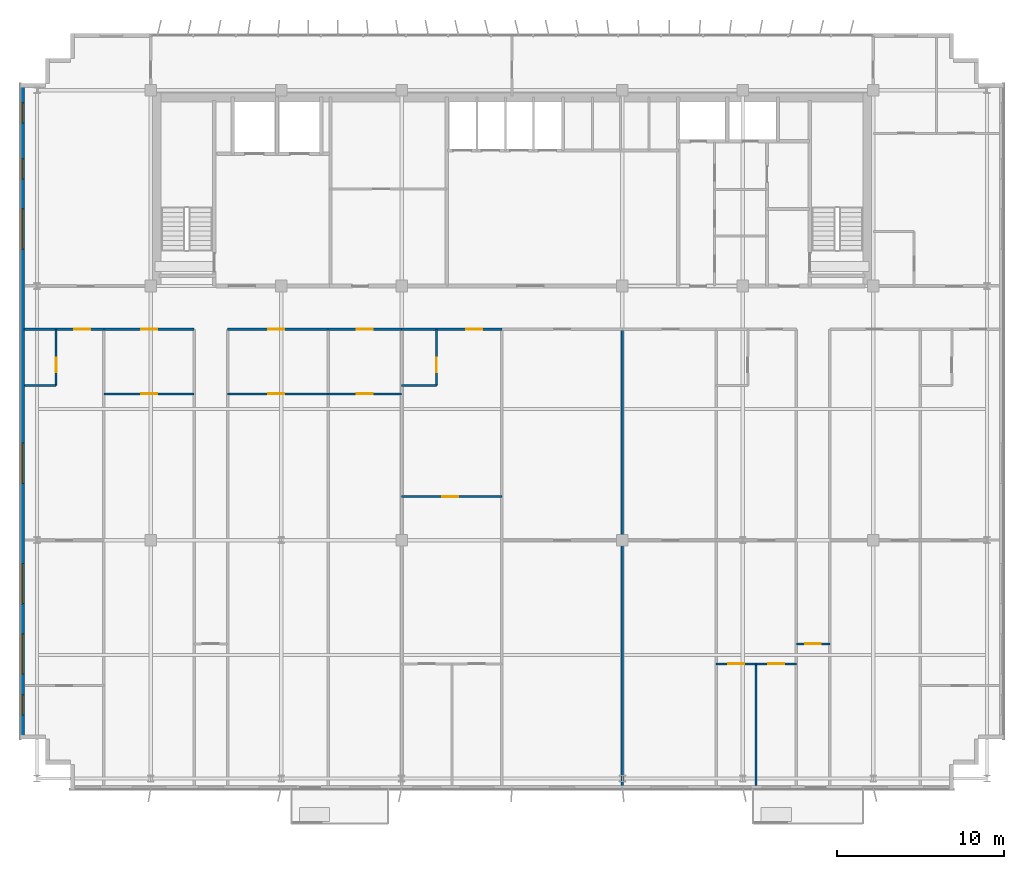
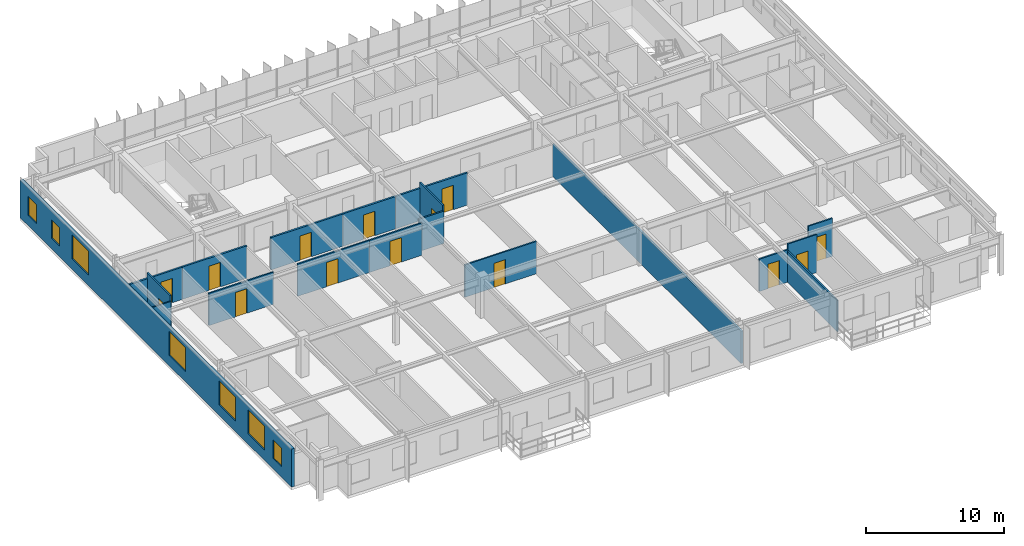
# One storey, part 15 of 21: 19 walls, 14 doors, 7 windows, 21 openings.
"""IFC4 building model written with IfcOpenShell, lengths in metres."""

from ifc_helpers import new_model, si_unit, direction, frame, frame_2d, origin, place, context, subcontext, project, spatial, rectangle, extrude, source, transform, mapped, material, layer, layer_set, type_object, element, fill, save


model = new_model("IFC4")

# Units and contexts
model_context = context("Model", 3, precision=1e-05, world=origin(), true_north=direction((0.0, 1.0)))
body_context = subcontext(model_context, "Body", "Model", "MODEL_VIEW")
ifc_project = project(units=[si_unit("LENGTHUNIT", "METRE"), si_unit("AREAUNIT", "SQUARE_METRE"), si_unit("VOLUMEUNIT", "CUBIC_METRE"), si_unit("PLANEANGLEUNIT", "RADIAN"), si_unit("MASSUNIT", "GRAM", prefix="KILO")], contexts=[model_context])

# Site, building, storey
site_placement = place(None, origin())
site = spatial("IfcSite", under=ifc_project, at=site_placement, CompositionType="ELEMENT")
building_placement = place(site_placement, origin())
building = spatial("IfcBuilding", under=site, at=building_placement, Name="Trelvane Seafront Commons", CompositionType="ELEMENT")
storey_placement = place(building_placement, frame((0.0, 0.0, 157.300048828125)))
storey = spatial("IfcBuildingStorey", under=building, at=storey_placement, Name="L41", CompositionType="ELEMENT", Elevation=157.300048828125)

# Wall, openings, windows
ifc_material_1 = material(Name="Precast concrete C40/50", Category="concrete")
ifc_layer_1 = layer(ifc_material_1, 0.239990234375, Name="ARCH-WALL-EXT240")
ifc_layer_set_1 = layer_set([ifc_layer_1], Name="Precast concrete C40/50")
wall_type_1 = type_object("IfcWallType", Name="ARCH-WALL-EXT240", PredefinedType="SOLIDWALL", material=ifc_layer_set_1)
wall_1_placement = place(storey_placement, frame((7.919921875, 6.300048828125, 0.0), z_axis=(0.0, 0.0, 1.0), x_axis=(0.0, 1.0, 0.0)))
wall_1 = element("IfcWall", 1, at=wall_1_placement, inside=storey, type_object=wall_type_1, Name="EW-L41-00805", PredefinedType="SOLIDWALL", context=body_context, shape_type="SweptSolid", body=[
    extrude(rectangle(XDim=39.199951171875, YDim=0.239990234375, at=frame_2d((19.60009765625, 0.0))), origin(), (0.0, 0.0, 1.0), 3.349853515625),
])
opening_1_placement = place(wall_1_placement, frame((1.449951171875, 0.0, 0.919921875)))
opening_1 = element("IfcOpeningElement", 2, at=opening_1_placement, cuts=wall_1, Name="Opening W05", PredefinedType="OPENING", context=body_context, shape_type="SweptSolid", body=[
    extrude(rectangle(XDim=1.199951171875, YDim=1.64990234375, at=frame_2d((0.60009765625, 0.824951171875))), frame((0.0, 0.1298828125, 0.0), z_axis=(0.0, -1.0, 0.0), x_axis=(1.0, 0.0, 0.0)), (0.0, 0.0, 1.0), 0.260009765625),
])
opening_2_placement = place(wall_1_placement, frame((3.89990234375, 0.0, 0.919921875)))
opening_2 = element("IfcOpeningElement", 3, at=opening_2_placement, cuts=wall_1, Name="Opening W08", PredefinedType="OPENING", context=body_context, shape_type="SweptSolid", body=[
    extrude(rectangle(XDim=2.39990234375, YDim=2.10009765625, at=frame_2d((1.199951171875, 1.050048828125))), frame((0.0, 0.1298828125, 0.0), z_axis=(0.0, -1.0, 0.0), x_axis=(1.0, 0.0, 0.0)), (0.0, 0.0, 1.0), 0.260009765625),
])
opening_3_placement = place(wall_1_placement, frame((8.10009765625, 0.0, 0.919921875)))
opening_3 = element("IfcOpeningElement", 4, at=opening_3_placement, cuts=wall_1, Name="Opening W08", PredefinedType="OPENING", context=body_context, shape_type="SweptSolid", body=[
    extrude(rectangle(XDim=2.39990234375, YDim=2.10009765625, at=frame_2d((1.199951171875, 1.050048828125))), frame((0.0, 0.1298828125, 0.0), z_axis=(0.0, -1.0, 0.0), x_axis=(1.0, 0.0, 0.0)), (0.0, 0.0, 1.0), 0.260009765625),
])
opening_4_placement = place(wall_1_placement, frame((15.300048828125, 0.0, 0.919921875)))
opening_4 = element("IfcOpeningElement", 5, at=opening_4_placement, cuts=wall_1, Name="Opening W08", PredefinedType="OPENING", context=body_context, shape_type="SweptSolid", body=[
    extrude(rectangle(XDim=2.39990234375, YDim=2.10009765625, at=frame_2d((1.199951171875, 1.050048828125))), frame((0.0, 0.1298828125, 0.0), z_axis=(0.0, -1.0, 0.0), x_axis=(1.0, 0.0, 0.0)), (0.0, 0.0, 1.0), 0.260009765625),
])
opening_5_placement = place(wall_1_placement, frame((29.300048828125, 0.0, 0.919921875)))
opening_5 = element("IfcOpeningElement", 6, at=opening_5_placement, cuts=wall_1, Name="Opening W08", PredefinedType="OPENING", context=body_context, shape_type="SweptSolid", body=[
    extrude(rectangle(XDim=2.39990234375, YDim=2.10009765625, at=frame_2d((1.199951171875, 1.050048828125))), frame((0.0, 0.1298828125, 0.0), z_axis=(0.0, -1.0, 0.0), x_axis=(1.0, 0.0, 0.0)), (0.0, 0.0, 1.0), 0.260009765625),
])
opening_6_placement = place(wall_1_placement, frame((33.5, 0.0, 0.919921875)))
opening_6 = element("IfcOpeningElement", 7, at=opening_6_placement, cuts=wall_1, Name="Opening W05", PredefinedType="OPENING", context=body_context, shape_type="SweptSolid", body=[
    extrude(rectangle(XDim=1.199951171875, YDim=1.64990234375, at=frame_2d((0.60009765625, 0.824951171875))), frame((0.0, 0.1298828125, 0.0), z_axis=(0.0, -1.0, 0.0), x_axis=(1.0, 0.0, 0.0)), (0.0, 0.0, 1.0), 0.260009765625),
])
opening_7_placement = place(wall_1_placement, frame((36.85009765625, 0.0, 0.919921875)))
opening_7 = element("IfcOpeningElement", 8, at=opening_7_placement, cuts=wall_1, Name="Opening W05", PredefinedType="OPENING", context=body_context, shape_type="SweptSolid", body=[
    extrude(rectangle(XDim=1.199951171875, YDim=1.64990234375, at=frame_2d((0.60009765625, 0.824951171875))), frame((0.0, 0.1298828125, 0.0), z_axis=(0.0, -1.0, 0.0), x_axis=(1.0, 0.0, 0.0)), (0.0, 0.0, 1.0), 0.260009765625),
])
ifc_material_2 = material(Name="Low-E coastal double glazing", Category="glass")
window_type_1 = type_object("IfcWindowType", Name="ARCH-WIN-W08", PartitioningType="SINGLE_PANEL", PredefinedType="WINDOW", material=ifc_material_2)
shared_shape_1 = source(origin(), body_context, "Body", "SweptSolid", [
    extrude(rectangle(XDim=2.39990234375, YDim=2.10009765625, at=frame_2d((1.199951171875, 1.050048828125))), frame((0.0, 0.030029296875, 0.0), z_axis=(0.0, -1.0, 0.0), x_axis=(1.0, 0.0, 0.0)), (0.0, 0.0, 1.0), 0.06005859375),
])
window_1_placement = place(opening_2_placement, origin())
window_1 = element("IfcWindow", 9, at=window_1_placement, inside=storey, type_object=window_type_1, Name="WIN-L41-EW-00957", OverallHeight=2.10009765625, OverallWidth=2.39990234375, PartitioningType="SINGLE_PANEL", PredefinedType="WINDOW", context=body_context, shape_type="MappedRepresentation", body=[
    mapped(shared_shape_1, transform((0.0, 0.0, 0.0), x_axis=(1.0, 0.0, 0.0), y_axis=(0.0, 1.0, 0.0), z_axis=(0.0, 0.0, 1.0), scale=1.0)),
])
fill(opening_2, window_1)
window_2_placement = place(opening_3_placement, origin())
window_2 = element("IfcWindow", 10, at=window_2_placement, inside=storey, type_object=window_type_1, Name="WIN-L41-EW-00958", OverallHeight=2.10009765625, OverallWidth=2.39990234375, PartitioningType="SINGLE_PANEL", PredefinedType="WINDOW", context=body_context, shape_type="MappedRepresentation", body=[
    mapped(shared_shape_1, transform((0.0, 0.0, 0.0), x_axis=(1.0, 0.0, 0.0), y_axis=(0.0, 1.0, 0.0), z_axis=(0.0, 0.0, 1.0), scale=1.0)),
])
fill(opening_3, window_2)
window_3_placement = place(opening_4_placement, origin())
window_3 = element("IfcWindow", 11, at=window_3_placement, inside=storey, type_object=window_type_1, Name="WIN-L41-EW-00959", OverallHeight=2.10009765625, OverallWidth=2.39990234375, PartitioningType="SINGLE_PANEL", PredefinedType="WINDOW", context=body_context, shape_type="MappedRepresentation", body=[
    mapped(shared_shape_1, transform((0.0, 0.0, 0.0), x_axis=(1.0, 0.0, 0.0), y_axis=(0.0, 1.0, 0.0), z_axis=(0.0, 0.0, 1.0), scale=1.0)),
])
fill(opening_4, window_3)
window_4_placement = place(opening_5_placement, origin())
window_4 = element("IfcWindow", 12, at=window_4_placement, inside=storey, type_object=window_type_1, Name="WIN-L41-EW-00960", OverallHeight=2.10009765625, OverallWidth=2.39990234375, PartitioningType="SINGLE_PANEL", PredefinedType="WINDOW", context=body_context, shape_type="MappedRepresentation", body=[
    mapped(shared_shape_1, transform((0.0, 0.0, 0.0), x_axis=(1.0, 0.0, 0.0), y_axis=(0.0, 1.0, 0.0), z_axis=(0.0, 0.0, 1.0), scale=1.0)),
])
fill(opening_5, window_4)
window_type_2 = type_object("IfcWindowType", Name="ARCH-WIN-W05", PartitioningType="SINGLE_PANEL", PredefinedType="WINDOW", material=ifc_material_2)
shared_shape_2 = source(origin(), body_context, "Body", "SweptSolid", [
    extrude(rectangle(XDim=1.199951171875, YDim=1.64990234375, at=frame_2d((0.60009765625, 0.824951171875))), frame((0.0, 0.030029296875, 0.0), z_axis=(0.0, -1.0, 0.0), x_axis=(1.0, 0.0, 0.0)), (0.0, 0.0, 1.0), 0.06005859375),
])
window_5_placement = place(opening_1_placement, origin())
window_5 = element("IfcWindow", 13, at=window_5_placement, inside=storey, type_object=window_type_2, Name="WIN-L41-EW-00956", OverallHeight=1.64990234375, OverallWidth=1.199951171875, PartitioningType="SINGLE_PANEL", PredefinedType="WINDOW", context=body_context, shape_type="MappedRepresentation", body=[
    mapped(shared_shape_2, transform((0.0, 0.0, 0.0), x_axis=(1.0, 0.0, 0.0), y_axis=(0.0, 1.0, 0.0), z_axis=(0.0, 0.0, 1.0), scale=1.0)),
])
fill(opening_1, window_5)
window_6_placement = place(opening_6_placement, origin())
window_6 = element("IfcWindow", 14, at=window_6_placement, inside=storey, type_object=window_type_2, Name="WIN-L41-EW-00961", OverallHeight=1.64990234375, OverallWidth=1.199951171875, PartitioningType="SINGLE_PANEL", PredefinedType="WINDOW", context=body_context, shape_type="MappedRepresentation", body=[
    mapped(shared_shape_2, transform((0.0, 0.0, 0.0), x_axis=(1.0, 0.0, 0.0), y_axis=(0.0, 1.0, 0.0), z_axis=(0.0, 0.0, 1.0), scale=1.0)),
])
fill(opening_6, window_6)
window_7_placement = place(opening_7_placement, origin())
window_7 = element("IfcWindow", 15, at=window_7_placement, inside=storey, type_object=window_type_2, Name="WIN-L41-EW-00962", OverallHeight=1.64990234375, OverallWidth=1.199951171875, PartitioningType="SINGLE_PANEL", PredefinedType="WINDOW", context=body_context, shape_type="MappedRepresentation", body=[
    mapped(shared_shape_2, transform((0.0, 0.0, 0.0), x_axis=(1.0, 0.0, 0.0), y_axis=(0.0, 1.0, 0.0), z_axis=(0.0, 0.0, 1.0), scale=1.0)),
])
fill(opening_7, window_7)

# Wall, opening, door
ifc_material_3 = material(Name="Gypsum Drywall Acoustic Partition")
ifc_layer_2 = layer(ifc_material_3, 0.1201171875, Name="ARCH-WALL-PART120")
ifc_layer_set_2 = layer_set([ifc_layer_2], Name="Gypsum Drywall Acoustic Partition")
wall_type_2 = type_object("IfcWallType", Name="ARCH-WALL-PART120", PredefinedType="PARTITIONING", material=ifc_layer_set_2)
wall_2_placement = place(storey_placement, frame((9.93994140625, 27.449951171875, 0.0), z_axis=(0.0, 0.0, 1.0), x_axis=(0.0, 1.0, 0.0)))
wall_2 = element("IfcWall", 16, at=wall_2_placement, inside=storey, type_object=wall_type_2, Name="W-L41-U1-BE-055", PredefinedType="PARTITIONING", context=body_context, shape_type="SweptSolid", body=[
    extrude(rectangle(XDim=3.35009765625, YDim=0.1201171875, at=frame_2d((1.675048828125, 0.0))), origin(), (0.0, 0.0, 1.0), 3.349853515625),
])
opening_8_placement = place(wall_2_placement, frame((0.800048828125, 0.0, 0.0)))
opening_8 = element("IfcOpeningElement", 17, at=opening_8_placement, cuts=wall_2, Name="Opening D-L41-30", PredefinedType="OPENING", context=body_context, shape_type="SweptSolid", body=[
    extrude(rectangle(XDim=0.85009765625, YDim=2.10009765625, at=frame_2d((0.425048828125, 1.050048828125))), frame((0.0, 0.070068359375, 0.0), z_axis=(0.0, -1.0, 0.0), x_axis=(1.0, 0.0, 0.0)), (0.0, 0.0, 1.0), 0.14013671875),
])
ifc_material_4 = material(Name="Acoustic timber door leaf", Category="wood")
door_type_1 = type_object("IfcDoorType", Name="ARCH-DR-INT850", OperationType="NOTDEFINED", PredefinedType="DOOR", material=ifc_material_4)
shared_shape_3 = source(origin(), body_context, "Body", "SweptSolid", [
    extrude(rectangle(XDim=0.85009765625, YDim=2.10009765625, at=frame_2d((0.425048828125, 1.050048828125))), frame((0.0, 0.02490234375, 0.0), z_axis=(0.0, -1.0, 0.0), x_axis=(1.0, 0.0, 0.0)), (0.0, 0.0, 1.0), 0.050048828125),
])
door_1_placement = place(opening_8_placement, origin())
door_1 = element("IfcDoor", 18, at=door_1_placement, inside=storey, type_object=door_type_1, Name="L41 Door 30", OperationType="SINGLE_SWING_RIGHT", OverallHeight=2.10009765625, OverallWidth=0.85009765625, PredefinedType="DOOR", context=body_context, shape_type="MappedRepresentation", body=[
    mapped(shared_shape_3, transform((0.0, 0.0, 0.0), x_axis=(1.0, 0.0, 0.0), y_axis=(0.0, 1.0, 0.0), z_axis=(0.0, 0.0, 1.0), scale=1.0)),
])
fill(opening_8, door_1)

# Wall
wall_3_placement = place(storey_placement, frame((8.0400390625, 27.449951171875, 0.0), z_axis=(0.0, 0.0, 1.0), x_axis=(1.0, 0.0, 0.0)))
element("IfcWall", 19, at=wall_3_placement, inside=storey, type_object=wall_type_2, Name="W-L41-U1-BS-056", PredefinedType="PARTITIONING", context=body_context, shape_type="SweptSolid", body=[
    extrude(rectangle(XDim=1.89990234375, YDim=0.1201171875, at=frame_2d((0.949951171875, 0.0))), origin(), (0.0, 0.0, 1.0), 2.849853515625),
])

# Wall, opening, door
wall_4_placement = place(storey_placement, frame((12.800048828125, 26.949951171875, 0.0), z_axis=(0.0, 0.0, 1.0), x_axis=(1.0, 0.0, 0.0)))
wall_4 = element("IfcWall", 20, at=wall_4_placement, inside=storey, type_object=wall_type_2, Name="W-L41-U2-DIV-060", PredefinedType="PARTITIONING", context=body_context, shape_type="SweptSolid", body=[
    extrude(rectangle(XDim=5.39990234375, YDim=0.1201171875, at=frame_2d((2.699951171875, 0.0))), origin(), (0.0, 0.0, 1.0), 2.849853515625),
])
opening_9_placement = place(wall_4_placement, frame((2.22509765625, 0.0, 0.0)))
opening_9 = element("IfcOpeningElement", 21, at=opening_9_placement, cuts=wall_4, Name="Opening D-L41-34", PredefinedType="OPENING", context=body_context, shape_type="SweptSolid", body=[
    extrude(rectangle(XDim=0.949951171875, YDim=2.14990234375, at=frame_2d((0.47509765625, 1.074951171875))), frame((0.0, 0.070068359375, 0.0), z_axis=(0.0, -1.0, 0.0), x_axis=(1.0, 0.0, 0.0)), (0.0, 0.0, 1.0), 0.14013671875),
])
door_type_2 = type_object("IfcDoorType", Name="ARCH-DR-INT950", OperationType="NOTDEFINED", PredefinedType="DOOR", material=ifc_material_4)
shared_shape_4 = source(origin(), body_context, "Body", "SweptSolid", [
    extrude(rectangle(XDim=0.949951171875, YDim=2.14990234375, at=frame_2d((0.47509765625, 1.074951171875))), frame((0.0, 0.02490234375, 0.0), z_axis=(0.0, -1.0, 0.0), x_axis=(1.0, 0.0, 0.0)), (0.0, 0.0, 1.0), 0.050048828125),
])
door_2_placement = place(opening_9_placement, origin())
door_2 = element("IfcDoor", 22, at=door_2_placement, inside=storey, type_object=door_type_2, Name="L41 Door 34", OperationType="SINGLE_SWING_RIGHT", OverallHeight=2.14990234375, OverallWidth=0.949951171875, PredefinedType="DOOR", context=body_context, shape_type="MappedRepresentation", body=[
    mapped(shared_shape_4, transform((0.0, 0.0, 0.0), x_axis=(1.0, 0.0, 0.0), y_axis=(0.0, 1.0, 0.0), z_axis=(0.0, 0.0, 1.0), scale=1.0)),
])
fill(opening_9, door_2)

wall_5_placement = place(storey_placement, frame((20.199951171875, 26.949951171875, 0.0), z_axis=(0.0, 0.0, 1.0), x_axis=(1.0, 0.0, 0.0)))
wall_5 = element("IfcWall", 23, at=wall_5_placement, inside=storey, type_object=wall_type_2, Name="W-L41-U4-DIV-065", PredefinedType="PARTITIONING", context=body_context, shape_type="SweptSolid", body=[
    extrude(rectangle(XDim=6.0, YDim=0.1201171875, at=frame_2d((3.0, 0.0))), origin(), (0.0, 0.0, 1.0), 2.849853515625),
])
opening_10_placement = place(wall_5_placement, frame((2.431884765625, 0.0, 0.0)))
opening_10 = element("IfcOpeningElement", 24, at=opening_10_placement, cuts=wall_5, Name="Opening D-L41-37", PredefinedType="OPENING", context=body_context, shape_type="SweptSolid", body=[
    extrude(rectangle(XDim=0.949951171875, YDim=2.14990234375, at=frame_2d((0.47509765625, 1.074951171875))), frame((0.0, 0.070068359375, 0.0), z_axis=(0.0, -1.0, 0.0), x_axis=(1.0, 0.0, 0.0)), (0.0, 0.0, 1.0), 0.14013671875),
])
door_3_placement = place(opening_10_placement, origin())
door_3 = element("IfcDoor", 25, at=door_3_placement, inside=storey, type_object=door_type_2, Name="L41 Door 37", OperationType="SINGLE_SWING_LEFT", OverallHeight=2.14990234375, OverallWidth=0.949951171875, PredefinedType="DOOR", context=body_context, shape_type="MappedRepresentation", body=[
    mapped(shared_shape_4, transform((0.0, 0.0, 0.0), x_axis=(1.0, 0.0, 0.0), y_axis=(0.0, 1.0, 0.0), z_axis=(0.0, 0.0, 1.0), scale=1.0)),
])
fill(opening_10, door_3)

wall_6_placement = place(storey_placement, frame((26.199951171875, 26.949951171875, 0.0), z_axis=(0.0, 0.0, 1.0), x_axis=(1.0, 0.0, 0.0)))
wall_6 = element("IfcWall", 26, at=wall_6_placement, inside=storey, type_object=wall_type_2, Name="W-L41-U5-DIV-067", PredefinedType="PARTITIONING", context=body_context, shape_type="SweptSolid", body=[
    extrude(rectangle(XDim=4.400146484375, YDim=0.1201171875, at=frame_2d((2.2001953125, 0.0))), origin(), (0.0, 0.0, 1.0), 2.849853515625),
])
opening_11_placement = place(wall_6_placement, frame((1.72509765625, 0.0, 0.0)))
opening_11 = element("IfcOpeningElement", 27, at=opening_11_placement, cuts=wall_6, Name="Opening D-L41-39", PredefinedType="OPENING", context=body_context, shape_type="SweptSolid", body=[
    extrude(rectangle(XDim=0.949951171875, YDim=2.14990234375, at=frame_2d((0.47509765625, 1.074951171875))), frame((0.0, 0.070068359375, 0.0), z_axis=(0.0, -1.0, 0.0), x_axis=(1.0, 0.0, 0.0)), (0.0, 0.0, 1.0), 0.14013671875),
])
door_4_placement = place(opening_11_placement, origin())
door_4 = element("IfcDoor", 28, at=door_4_placement, inside=storey, type_object=door_type_2, Name="L41 Door 39", OperationType="SINGLE_SWING_LEFT", OverallHeight=2.14990234375, OverallWidth=0.949951171875, PredefinedType="DOOR", context=body_context, shape_type="MappedRepresentation", body=[
    mapped(shared_shape_4, transform((0.0, 0.0, 0.0), x_axis=(1.0, 0.0, 0.0), y_axis=(0.0, 1.0, 0.0), z_axis=(0.0, 0.0, 1.0), scale=1.0)),
])
fill(opening_11, door_4)

wall_7_placement = place(storey_placement, frame((30.60009765625, 20.800048828125, 0.0), z_axis=(0.0, 0.0, 1.0), x_axis=(1.0, 0.0, 0.0)))
wall_7 = element("IfcWall", 29, at=wall_7_placement, inside=storey, type_object=wall_type_2, Name="W-L41-U6-KL-068", PredefinedType="PARTITIONING", context=body_context, shape_type="SweptSolid", body=[
    extrude(rectangle(XDim=6.0, YDim=0.1201171875, at=frame_2d((3.0, 0.0))), origin(), (0.0, 0.0, 1.0), 2.849853515625),
])
opening_12_placement = place(wall_7_placement, frame((2.431884765625, 0.0, 0.0)))
opening_12 = element("IfcOpeningElement", 30, at=opening_12_placement, cuts=wall_7, Name="Opening D-L41-40", PredefinedType="OPENING", context=body_context, shape_type="SweptSolid", body=[
    extrude(rectangle(XDim=0.949951171875, YDim=2.14990234375, at=frame_2d((0.47509765625, 1.074951171875))), frame((0.0, 0.070068359375, 0.0), z_axis=(0.0, -1.0, 0.0), x_axis=(1.0, 0.0, 0.0)), (0.0, 0.0, 1.0), 0.14013671875),
])
door_5_placement = place(opening_12_placement, origin())
door_5 = element("IfcDoor", 31, at=door_5_placement, inside=storey, type_object=door_type_2, Name="L41 Door 40", OperationType="SINGLE_SWING_RIGHT", OverallHeight=2.14990234375, OverallWidth=0.949951171875, PredefinedType="DOOR", context=body_context, shape_type="MappedRepresentation", body=[
    mapped(shared_shape_4, transform((0.0, 0.0, 0.0), x_axis=(1.0, 0.0, 0.0), y_axis=(0.0, 1.0, 0.0), z_axis=(0.0, 0.0, 1.0), scale=1.0)),
])
fill(opening_12, door_5)

wall_8_placement = place(storey_placement, frame((32.68994140625, 27.449951171875, 0.0), z_axis=(0.0, 0.0, 1.0), x_axis=(0.0, 1.0, 0.0)))
wall_8 = element("IfcWall", 32, at=wall_8_placement, inside=storey, type_object=wall_type_2, Name="W-L41-U6-BE-069", PredefinedType="PARTITIONING", context=body_context, shape_type="SweptSolid", body=[
    extrude(rectangle(XDim=3.35009765625, YDim=0.1201171875, at=frame_2d((1.675048828125, 0.0))), origin(), (0.0, 0.0, 1.0), 3.349853515625),
])
opening_13_placement = place(wall_8_placement, frame((0.800048828125, 0.0, 0.0)))
opening_13 = element("IfcOpeningElement", 33, at=opening_13_placement, cuts=wall_8, Name="Opening D-L41-41", PredefinedType="OPENING", context=body_context, shape_type="SweptSolid", body=[
    extrude(rectangle(XDim=0.85009765625, YDim=2.10009765625, at=frame_2d((0.425048828125, 1.050048828125))), frame((0.0, 0.070068359375, 0.0), z_axis=(0.0, -1.0, 0.0), x_axis=(1.0, 0.0, 0.0)), (0.0, 0.0, 1.0), 0.14013671875),
])
door_6_placement = place(opening_13_placement, origin())
door_6 = element("IfcDoor", 34, at=door_6_placement, inside=storey, type_object=door_type_1, Name="L41 Door 41", OperationType="SINGLE_SWING_LEFT", OverallHeight=2.10009765625, OverallWidth=0.85009765625, PredefinedType="DOOR", context=body_context, shape_type="MappedRepresentation", body=[
    mapped(shared_shape_3, transform((0.0, 0.0, 0.0), x_axis=(1.0, 0.0, 0.0), y_axis=(0.0, 1.0, 0.0), z_axis=(0.0, 0.0, 1.0), scale=1.0)),
])
fill(opening_13, door_6)

# Wall
wall_9_placement = place(storey_placement, frame((30.60009765625, 27.449951171875, 0.0), z_axis=(0.0, 0.0, 1.0), x_axis=(1.0, 0.0, 0.0)))
element("IfcWall", 35, at=wall_9_placement, inside=storey, type_object=wall_type_2, Name="W-L41-U6-BS-070", PredefinedType="PARTITIONING", context=body_context, shape_type="SweptSolid", body=[
    extrude(rectangle(XDim=2.08984375, YDim=0.1201171875, at=frame_2d((1.044921875, 0.0))), origin(), (0.0, 0.0, 1.0), 2.849853515625),
])

# Wall, opening, door
wall_10_placement = place(storey_placement, frame((49.39990234375, 10.800048828125, 0.0), z_axis=(0.0, 0.0, 1.0), x_axis=(1.0, 0.0, 0.0)))
wall_10 = element("IfcWall", 36, at=wall_10_placement, inside=storey, type_object=wall_type_2, Name="W-L41-U9-YM-1-083", PredefinedType="PARTITIONING", context=body_context, shape_type="SweptSolid", body=[
    extrude(rectangle(XDim=2.400146484375, YDim=0.1201171875, at=frame_2d((1.2001953125, 0.0))), origin(), (0.0, 0.0, 1.0), 2.849853515625),
])
opening_14_placement = place(wall_10_placement, frame((0.72509765625, 0.0, 0.0)))
opening_14 = element("IfcOpeningElement", 37, at=opening_14_placement, cuts=wall_10, Name="Opening D-L41-52", PredefinedType="OPENING", context=body_context, shape_type="SweptSolid", body=[
    extrude(rectangle(XDim=0.949951171875, YDim=2.14990234375, at=frame_2d((0.47509765625, 1.074951171875))), frame((0.0, 0.070068359375, 0.0), z_axis=(0.0, -1.0, 0.0), x_axis=(1.0, 0.0, 0.0)), (0.0, 0.0, 1.0), 0.14013671875),
])
door_7_placement = place(opening_14_placement, origin())
door_7 = element("IfcDoor", 38, at=door_7_placement, inside=storey, type_object=door_type_2, Name="L41 Door 52", OperationType="SINGLE_SWING_RIGHT", OverallHeight=2.14990234375, OverallWidth=0.949951171875, PredefinedType="DOOR", context=body_context, shape_type="MappedRepresentation", body=[
    mapped(shared_shape_4, transform((0.0, 0.0, 0.0), x_axis=(1.0, 0.0, 0.0), y_axis=(0.0, 1.0, 0.0), z_axis=(0.0, 0.0, 1.0), scale=1.0)),
])
fill(opening_14, door_7)

wall_11_placement = place(storey_placement, frame((51.800048828125, 10.800048828125, 0.0), z_axis=(0.0, 0.0, 1.0), x_axis=(1.0, 0.0, 0.0)))
wall_11 = element("IfcWall", 39, at=wall_11_placement, inside=storey, type_object=wall_type_2, Name="W-L41-U9-YM-2-084", PredefinedType="PARTITIONING", context=body_context, shape_type="SweptSolid", body=[
    extrude(rectangle(XDim=2.39990234375, YDim=0.1201171875, at=frame_2d((1.199951171875, 0.0))), origin(), (0.0, 0.0, 1.0), 3.349853515625),
])
opening_15_placement = place(wall_11_placement, frame((0.72509765625, 0.0, 0.0)))
opening_15 = element("IfcOpeningElement", 40, at=opening_15_placement, cuts=wall_11, Name="Opening D-L41-53", PredefinedType="OPENING", context=body_context, shape_type="SweptSolid", body=[
    extrude(rectangle(XDim=0.949951171875, YDim=2.14990234375, at=frame_2d((0.47509765625, 1.074951171875))), frame((0.0, 0.070068359375, 0.0), z_axis=(0.0, -1.0, 0.0), x_axis=(1.0, 0.0, 0.0)), (0.0, 0.0, 1.0), 0.14013671875),
])
door_8_placement = place(opening_15_placement, origin())
door_8 = element("IfcDoor", 41, at=door_8_placement, inside=storey, type_object=door_type_2, Name="L41 Door 53", OperationType="SINGLE_SWING_LEFT", OverallHeight=2.14990234375, OverallWidth=0.949951171875, PredefinedType="DOOR", context=body_context, shape_type="MappedRepresentation", body=[
    mapped(shared_shape_4, transform((0.0, 0.0, 0.0), x_axis=(1.0, 0.0, 0.0), y_axis=(0.0, 1.0, 0.0), z_axis=(0.0, 0.0, 1.0), scale=1.0)),
])
fill(opening_15, door_8)

# Wall
wall_12_placement = place(storey_placement, frame((51.800048828125, 3.52490234375, 0.0), z_axis=(0.0, 0.0, 1.0), x_axis=(0.0, 1.0, 0.0)))
element("IfcWall", 42, at=wall_12_placement, inside=storey, type_object=wall_type_2, Name="W-L41-U9-BDV-1-085", PredefinedType="PARTITIONING", context=body_context, shape_type="SweptSolid", body=[
    extrude(rectangle(XDim=7.275146484375, YDim=0.1201171875, at=frame_2d((3.6376953125, 0.0))), origin(), (0.0, 0.0, 1.0), 2.75),
])

# Wall, opening, door
wall_13_placement = place(storey_placement, frame((54.199951171875, 12.0, 0.0), z_axis=(0.0, 0.0, 1.0), x_axis=(1.0, 0.0, 0.0)))
wall_13 = element("IfcWall", 43, at=wall_13_placement, inside=storey, type_object=wall_type_2, Name="W-L41-ARM-END-10-088", PredefinedType="PARTITIONING", context=body_context, shape_type="SweptSolid", body=[
    extrude(rectangle(XDim=2.0, YDim=0.1201171875, at=frame_2d((1.0, 0.0))), origin(), (0.0, 0.0, 1.0), 3.349853515625),
])
opening_16_placement = place(wall_13_placement, frame((0.52001953125, 0.0, 0.0)))
opening_16 = element("IfcOpeningElement", 44, at=opening_16_placement, cuts=wall_13, Name="Opening D-L41-54", PredefinedType="OPENING", context=body_context, shape_type="SweptSolid", body=[
    extrude(rectangle(XDim=0.949951171875, YDim=2.14990234375, at=frame_2d((0.47509765625, 1.074951171875))), frame((0.0, 0.070068359375, 0.0), z_axis=(0.0, -1.0, 0.0), x_axis=(1.0, 0.0, 0.0)), (0.0, 0.0, 1.0), 0.14013671875),
])
door_9_placement = place(opening_16_placement, origin())
door_9 = element("IfcDoor", 45, at=door_9_placement, inside=storey, type_object=door_type_2, Name="L41 Door 54", OperationType="SINGLE_SWING_RIGHT", OverallHeight=2.14990234375, OverallWidth=0.949951171875, PredefinedType="DOOR", context=body_context, shape_type="MappedRepresentation", body=[
    mapped(shared_shape_4, transform((0.0, 0.0, 0.0), x_axis=(1.0, 0.0, 0.0), y_axis=(0.0, 1.0, 0.0), z_axis=(0.0, 0.0, 1.0), scale=1.0)),
])
fill(opening_16, door_9)

# Wall
ifc_layer_3 = layer(ifc_material_3, 0.14990234375, Name="ARCH-WALL-PART150")
ifc_layer_set_3 = layer_set([ifc_layer_3], Name="Gypsum Drywall Acoustic Partition")
wall_type_3 = type_object("IfcWallType", Name="ARCH-WALL-PART150", PredefinedType="PARTITIONING", material=ifc_layer_set_3)
wall_14_placement = place(storey_placement, frame((43.800048828125, 3.52490234375, 0.0), z_axis=(0.0, 0.0, 1.0), x_axis=(0.0, 1.0, 0.0)))
element("IfcWall", 46, at=wall_14_placement, inside=storey, type_object=wall_type_3, Name="W-L41-PW-7-051", PredefinedType="PARTITIONING", context=body_context, shape_type="SweptSolid", body=[
    extrude(rectangle(XDim=27.275146484375, YDim=0.14990234375, at=frame_2d((13.6376953125, 0.0))), origin(), (0.0, 0.0, 1.0), 2.849853515625),
])

# Wall, opening, door
wall_15_placement = place(storey_placement, frame((8.02490234375, 30.800048828125, 0.0), z_axis=(0.0, 0.0, 1.0), x_axis=(1.0, 0.0, 0.0)))
wall_15 = element("IfcWall", 47, at=wall_15_placement, inside=storey, type_object=wall_type_3, Name="W-L41-CS-BAY-1-057", PredefinedType="PARTITIONING", context=body_context, shape_type="SweptSolid", body=[
    extrude(rectangle(XDim=4.775146484375, YDim=0.14990234375, at=frame_2d((2.3876953125, 0.0))), origin(), (0.0, 0.0, 1.0), 2.849853515625),
])
opening_17_placement = place(wall_15_placement, frame((2.993896484375, 0.0, 0.0)))
opening_17 = element("IfcOpeningElement", 48, at=opening_17_placement, cuts=wall_15, Name="Opening FD-L41-31", PredefinedType="OPENING", context=body_context, shape_type="SweptSolid", body=[
    extrude(rectangle(XDim=0.949951171875, YDim=2.14990234375, at=frame_2d((0.47509765625, 1.074951171875))), frame((0.0, 0.0849609375, 0.0), z_axis=(0.0, -1.0, 0.0), x_axis=(1.0, 0.0, 0.0)), (0.0, 0.0, 1.0), 0.169921875),
])
ifc_material_5 = material(Name="Powder-coated aluminium frame", Category="aluminium")
door_type_3 = type_object("IfcDoorType", Name="ARCH-DR-FD60-950", OperationType="NOTDEFINED", PredefinedType="DOOR", material=ifc_material_5)
door_10_placement = place(opening_17_placement, origin())
door_10 = element("IfcDoor", 49, at=door_10_placement, inside=storey, type_object=door_type_3, Name="L41 Unit 01 Entrance Door", OperationType="SINGLE_SWING_LEFT", OverallHeight=2.14990234375, OverallWidth=0.949951171875, PredefinedType="DOOR", context=body_context, shape_type="MappedRepresentation", body=[
    mapped(shared_shape_4, transform((0.0, 0.0, 0.0), x_axis=(1.0, 0.0, 0.0), y_axis=(0.0, 1.0, 0.0), z_axis=(0.0, 0.0, 1.0), scale=1.0)),
])
fill(opening_17, door_10)

wall_16_placement = place(storey_placement, frame((12.800048828125, 30.800048828125, 0.0), z_axis=(0.0, 0.0, 1.0), x_axis=(1.0, 0.0, 0.0)))
wall_16 = element("IfcWall", 50, at=wall_16_placement, inside=storey, type_object=wall_type_3, Name="W-L41-CS-BAY-2-059", PredefinedType="PARTITIONING", context=body_context, shape_type="SweptSolid", body=[
    extrude(rectangle(XDim=5.39990234375, YDim=0.14990234375, at=frame_2d((2.699951171875, 0.0))), origin(), (0.0, 0.0, 1.0), 2.849853515625),
])
opening_18_placement = place(wall_16_placement, frame((2.22509765625, 0.0, 0.0)))
opening_18 = element("IfcOpeningElement", 51, at=opening_18_placement, cuts=wall_16, Name="Opening FD-L41-33", PredefinedType="OPENING", context=body_context, shape_type="SweptSolid", body=[
    extrude(rectangle(XDim=0.949951171875, YDim=2.14990234375, at=frame_2d((0.47509765625, 1.074951171875))), frame((0.0, 0.0849609375, 0.0), z_axis=(0.0, -1.0, 0.0), x_axis=(1.0, 0.0, 0.0)), (0.0, 0.0, 1.0), 0.169921875),
])
door_11_placement = place(opening_18_placement, origin())
door_11 = element("IfcDoor", 52, at=door_11_placement, inside=storey, type_object=door_type_3, Name="L41 Bay 02 Entrance Door", OperationType="SINGLE_SWING_LEFT", OverallHeight=2.14990234375, OverallWidth=0.949951171875, PredefinedType="DOOR", context=body_context, shape_type="MappedRepresentation", body=[
    mapped(shared_shape_4, transform((0.0, 0.0, 0.0), x_axis=(1.0, 0.0, 0.0), y_axis=(0.0, 1.0, 0.0), z_axis=(0.0, 0.0, 1.0), scale=1.0)),
])
fill(opening_18, door_11)

wall_17_placement = place(storey_placement, frame((20.199951171875, 30.800048828125, 0.0), z_axis=(0.0, 0.0, 1.0), x_axis=(1.0, 0.0, 0.0)))
wall_17 = element("IfcWall", 53, at=wall_17_placement, inside=storey, type_object=wall_type_3, Name="W-L41-CS-BAY-4-064", PredefinedType="PARTITIONING", context=body_context, shape_type="SweptSolid", body=[
    extrude(rectangle(XDim=6.0, YDim=0.14990234375, at=frame_2d((3.0, 0.0))), origin(), (0.0, 0.0, 1.0), 2.849853515625),
])
opening_19_placement = place(wall_17_placement, frame((2.431884765625, 0.0, 0.0)))
opening_19 = element("IfcOpeningElement", 54, at=opening_19_placement, cuts=wall_17, Name="Opening FD-L41-36", PredefinedType="OPENING", context=body_context, shape_type="SweptSolid", body=[
    extrude(rectangle(XDim=0.949951171875, YDim=2.14990234375, at=frame_2d((0.47509765625, 1.074951171875))), frame((0.0, 0.0849609375, 0.0), z_axis=(0.0, -1.0, 0.0), x_axis=(1.0, 0.0, 0.0)), (0.0, 0.0, 1.0), 0.169921875),
])
door_12_placement = place(opening_19_placement, origin())
door_12 = element("IfcDoor", 55, at=door_12_placement, inside=storey, type_object=door_type_3, Name="L41 Bay 04 Entrance Door", OperationType="SINGLE_SWING_RIGHT", OverallHeight=2.14990234375, OverallWidth=0.949951171875, PredefinedType="DOOR", context=body_context, shape_type="MappedRepresentation", body=[
    mapped(shared_shape_4, transform((0.0, 0.0, 0.0), x_axis=(1.0, 0.0, 0.0), y_axis=(0.0, 1.0, 0.0), z_axis=(0.0, 0.0, 1.0), scale=1.0)),
])
fill(opening_19, door_12)

wall_18_placement = place(storey_placement, frame((26.199951171875, 30.800048828125, 0.0), z_axis=(0.0, 0.0, 1.0), x_axis=(1.0, 0.0, 0.0)))
wall_18 = element("IfcWall", 56, at=wall_18_placement, inside=storey, type_object=wall_type_3, Name="W-L41-CS-BAY-5-066", PredefinedType="PARTITIONING", context=body_context, shape_type="SweptSolid", body=[
    extrude(rectangle(XDim=4.400146484375, YDim=0.14990234375, at=frame_2d((2.2001953125, 0.0))), origin(), (0.0, 0.0, 1.0), 2.849853515625),
])
opening_20_placement = place(wall_18_placement, frame((1.72509765625, 0.0, 0.0)))
opening_20 = element("IfcOpeningElement", 57, at=opening_20_placement, cuts=wall_18, Name="Opening FD-L41-38", PredefinedType="OPENING", context=body_context, shape_type="SweptSolid", body=[
    extrude(rectangle(XDim=0.949951171875, YDim=2.14990234375, at=frame_2d((0.47509765625, 1.074951171875))), frame((0.0, 0.0849609375, 0.0), z_axis=(0.0, -1.0, 0.0), x_axis=(1.0, 0.0, 0.0)), (0.0, 0.0, 1.0), 0.169921875),
])
door_13_placement = place(opening_20_placement, origin())
door_13 = element("IfcDoor", 58, at=door_13_placement, inside=storey, type_object=door_type_3, Name="L41 Bay 05 Entrance Door", OperationType="SINGLE_SWING_RIGHT", OverallHeight=2.14990234375, OverallWidth=0.949951171875, PredefinedType="DOOR", context=body_context, shape_type="MappedRepresentation", body=[
    mapped(shared_shape_4, transform((0.0, 0.0, 0.0), x_axis=(1.0, 0.0, 0.0), y_axis=(0.0, 1.0, 0.0), z_axis=(0.0, 0.0, 1.0), scale=1.0)),
])
fill(opening_20, door_13)

wall_19_placement = place(storey_placement, frame((30.60009765625, 30.800048828125, 0.0), z_axis=(0.0, 0.0, 1.0), x_axis=(1.0, 0.0, 0.0)))
wall_19 = element("IfcWall", 59, at=wall_19_placement, inside=storey, type_object=wall_type_3, Name="W-L41-CS-BAY-6-071", PredefinedType="PARTITIONING", context=body_context, shape_type="SweptSolid", body=[
    extrude(rectangle(XDim=6.0, YDim=0.14990234375, at=frame_2d((3.0, 0.0))), origin(), (0.0, 0.0, 1.0), 2.849853515625),
])
opening_21_placement = place(wall_19_placement, frame((3.864990234375, 0.0, 0.0)))
opening_21 = element("IfcOpeningElement", 60, at=opening_21_placement, cuts=wall_19, Name="Opening FD-L41-42", PredefinedType="OPENING", context=body_context, shape_type="SweptSolid", body=[
    extrude(rectangle(XDim=0.949951171875, YDim=2.14990234375, at=frame_2d((0.47509765625, 1.074951171875))), frame((0.0, 0.0849609375, 0.0), z_axis=(0.0, -1.0, 0.0), x_axis=(1.0, 0.0, 0.0)), (0.0, 0.0, 1.0), 0.169921875),
])
door_14_placement = place(opening_21_placement, origin())
door_14 = element("IfcDoor", 61, at=door_14_placement, inside=storey, type_object=door_type_3, Name="L41 Unit 06 Entrance Door", OperationType="SINGLE_SWING_RIGHT", OverallHeight=2.14990234375, OverallWidth=0.949951171875, PredefinedType="DOOR", context=body_context, shape_type="MappedRepresentation", body=[
    mapped(shared_shape_4, transform((0.0, 0.0, 0.0), x_axis=(1.0, 0.0, 0.0), y_axis=(0.0, 1.0, 0.0), z_axis=(0.0, 0.0, 1.0), scale=1.0)),
])
fill(opening_21, door_14)

save(model, "model.ifc")
